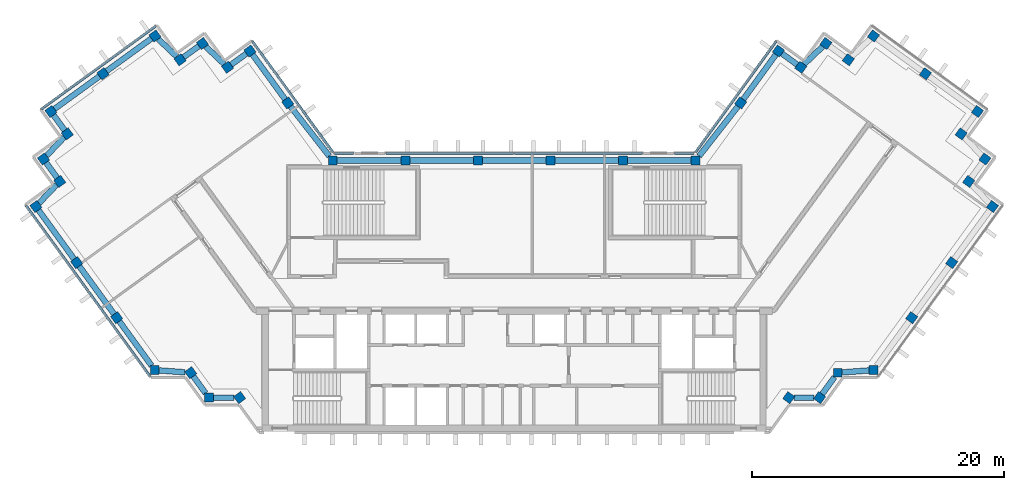
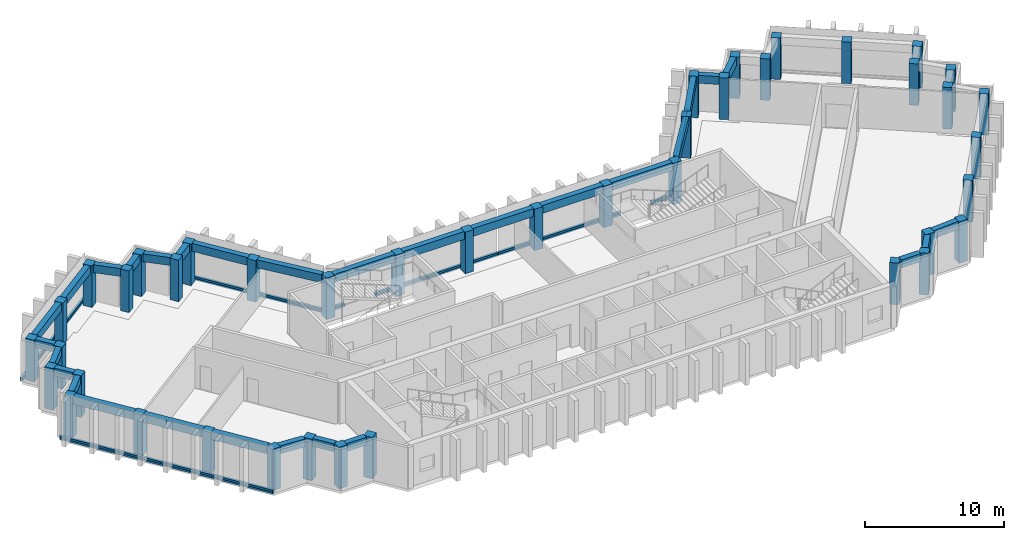
"""IFC4 building model written with IfcOpenShell, lengths in metres."""

from ifc_helpers import new_model, si_unit, direction, frame, origin, origin_2d, place, context, subcontext, project, spatial, rectangle, extrude, material, material_profile, profile_set, type_object, element, aggregate, save


model = new_model("IFC4")

# Units and contexts
model_context = context("Model", 3, precision=1e-05, world=origin(), true_north=direction((0.0, 1.0)))
body_context = subcontext(model_context, "Body", "Model", "MODEL_VIEW")
ifc_project = project(units=[si_unit("LENGTHUNIT", "METRE"), si_unit("AREAUNIT", "SQUARE_METRE"), si_unit("VOLUMEUNIT", "CUBIC_METRE"), si_unit("PLANEANGLEUNIT", "RADIAN"), si_unit("MASSUNIT", "GRAM", prefix="KILO")], contexts=[model_context])

# Site, building, storey
site_placement = place(None, origin())
site = spatial("IfcSite", under=ifc_project, at=site_placement, CompositionType="ELEMENT")
building_placement = place(site_placement, origin())
building = spatial("IfcBuilding", under=site, at=building_placement, Name="Quipu Civic Tower", CompositionType="ELEMENT")
storey_1_placement = place(building_placement, frame((0.0, 0.0, 293.0)))
storey_1 = spatial("IfcBuildingStorey", under=building, at=storey_1_placement, Name="L68", CompositionType="ELEMENT", Elevation=293.0)

# Columns
ifc_material_1 = material(Name="Concrete C50/60", Category="concrete")
ifc_material_profile_1 = material_profile(ifc_material_1, rectangle(XDim=0.699951171875, YDim=0.699951171875, at=origin_2d()), Name="RC700x700")
ifc_profile_set_1 = profile_set([ifc_material_profile_1], Name="Concrete C50/60")
column_type = type_object("IfcColumnType", Name="Perimeter column RC 700x700 C50/60", PredefinedType="COLUMN", material=ifc_profile_set_1)
for number, where, z_axis, x_axis, name in (
    (1, (-17.9736328125, 15.074951171875, 0.0), (0.0, 0.0, 1.0), (-0.587785252292, 0.809016994375, 0.0), "Column L68 W-IN-01"),
    (2, (-20.969970703125, 19.195068359375, 0.0), (0.0, 0.0, 1.0), (-0.587785252292, 0.809016994375, 0.0), "Column L68 T-Wi.0-W22"),
    (3, (-22.749267578125, 17.904296875, 0.0), (0.0, 0.0, 1.0), (-0.587785252292, 0.809016994375, 0.0), "Column L68 T-Wi.1-W22"),
    (4, (-24.739990234375, 19.794921875, 0.0), (0.0, 0.0, 1.0), (-0.587785252292, 0.809016994375, 0.0), "Column L68 T-Wi.2-W22"),
    (5, (-26.51904296875, 18.50048828125, 0.0), (0.0, 0.0, 1.0), (-0.587785252292, 0.809016994375, 0.0), "Column L68 T-Wi.3-W22"),
    (6, (-28.510009765625, 20.389892578125, 0.0), (0.0, 0.0, 1.0), (-0.809016994375, -0.587785252292, 0.0), "Column L68 T-Wi.4-W22"),
    (7, (-32.636962890625, 17.39306640625, 0.0), (0.0, 0.0, 1.0), (-0.809016994375, -0.587785252292, 0.0), "Column L68 TIP-W-01-W22"),
    (8, (-36.764892578125, 14.39501953125, 0.0), (0.0, 0.0, 1.0), (0.587785252292, -0.809016994375, 0.0), "Column L68 T-Wo.0-W22"),
    (9, (-35.470703125, 12.616455078125, 0.0), (0.0, 0.0, 1.0), (-0.809016994375, -0.587785252292, 0.0), "Column L68 T-Wo.1-W22"),
    (10, (-37.360107421875, 10.625, 0.0), (0.0, 0.0, 1.0), (0.587785252292, -0.809016994375, 0.0), "Column L68 T-Wo.2-W22"),
    (11, (-36.068115234375, 8.843994140625, 0.0), (0.0, 0.0, 1.0), (0.587785252292, -0.809016994375, 0.0), "Column L68 T-Wo.3-W22"),
    (12, (-37.9599609375, 6.85498046875, 0.0), (0.0, 0.0, 1.0), (0.587785252292, -0.809016994375, 0.0), "Column L68 T-Wo.4-W22"),
    (13, (-34.722412109375, 2.39990234375, 0.0), (0.0, 0.0, 1.0), (0.587785252292, -0.809016994375, 0.0), "Column L68 W-OUT-02"),
    (14, (-31.54833984375, -1.96875, 0.0), (0.0, 0.0, 1.0), (0.587785252292, -0.809016994375, 0.0), "Column L68 W-OUT-01"),
    (15, (-28.52490234375, -6.1298828125, 0.0), (0.0, 0.0, 1.0), (1.0, 0.0, 0.0), "Column L68 J-Wo.0"),
    (16, (-25.67431640625, -6.3369140625, 0.0), (0.0, 0.0, 1.0), (0.587785252292, -0.809016994375, 0.0), "Column L68 J-Wo.1"),
    (17, (-24.235107421875, -8.31494140625, 0.0), (0.0, 0.0, 1.0), (1.0, 0.0, 0.0), "Column L68 J-Wo.2"),
    (18, (-21.791748046875, -8.31494140625, 0.0), (0.0, 0.0, 1.0), (0.587785252292, -0.809016994375, 0.0), "Column L68 J-Wo.3"),
    (19, (21.791748046875, -8.31494140625, 0.0), (0.0, 0.0, 1.0), (0.587785252292, 0.809016994375, 0.0), "Column L68 J-Eo.1"),
    (20, (24.235107421875, -8.31494140625, 0.0), (0.0, 0.0, 1.0), (0.587785252292, 0.809016994375, 0.0), "Column L68 J-Eo.2"),
    (21, (25.67431640625, -6.3369140625, 0.0), (0.0, 0.0, 1.0), (1.0, 0.0, 0.0), "Column L68 J-Eo.3"),
    (22, (28.52490234375, -6.1298828125, 0.0), (0.0, 0.0, 1.0), (1.0, 0.0, 0.0), "Column L68 J-Eo.4"),
    (23, (31.54833984375, -1.96875, 0.0), (0.0, 0.0, 1.0), (0.587785252292, 0.809016994375, 0.0), "Column L68 E-OUT-01"),
    (24, (34.722412109375, 2.39990234375, 0.0), (0.0, 0.0, 1.0), (0.587785252292, 0.809016994375, 0.0), "Column L68 E-OUT-02"),
    (25, (37.9599609375, 6.85498046875, 0.0), (0.0, 0.0, 1.0), (0.587785252292, 0.809016994375, 0.0), "Column L68 T-Eo.0-E22"),
    (26, (36.068115234375, 8.843994140625, 0.0), (0.0, 0.0, 1.0), (0.587785252292, 0.809016994375, 0.0), "Column L68 T-Eo.1-E22"),
    (27, (37.360107421875, 10.625, 0.0), (0.0, 0.0, 1.0), (0.587785252292, 0.809016994375, 0.0), "Column L68 T-Eo.2-E22"),
    (28, (35.470703125, 12.616455078125, 0.0), (0.0, 0.0, 1.0), (-0.809016994375, 0.587785252292, 0.0), "Column L68 T-Eo.3-E22"),
    (29, (36.764892578125, 14.39501953125, 0.0), (0.0, 0.0, 1.0), (-0.809016994375, 0.587785252292, 0.0), "Column L68 T-Eo.4-E22"),
    (30, (32.636962890625, 17.39306640625, 0.0), (0.0, 0.0, 1.0), (-0.809016994375, 0.587785252292, 0.0), "Column L68 TIP-E-01-E22"),
    (31, (28.510009765625, 20.389892578125, 0.0), (0.0, 0.0, 1.0), (-0.587785252292, -0.809016994375, 0.0), "Column L68 T-Ei.0-E22"),
    (32, (26.51904296875, 18.50048828125, 0.0), (0.0, 0.0, 1.0), (-0.809016994375, 0.587785252292, 0.0), "Column L68 T-Ei.1-E22"),
    (33, (24.739990234375, 19.794921875, 0.0), (0.0, 0.0, 1.0), (-0.587785252292, -0.809016994375, 0.0), "Column L68 T-Ei.2-E22"),
    (34, (22.749267578125, 17.904296875, 0.0), (0.0, 0.0, 1.0), (-0.587785252292, -0.809016994375, 0.0), "Column L68 T-Ei.3-E22"),
    (35, (20.969970703125, 19.195068359375, 0.0), (0.0, 0.0, 1.0), (-0.587785252292, -0.809016994375, 0.0), "Column L68 T-Ei.4-E22"),
    (36, (17.9736328125, 15.074951171875, 0.0), (0.0, 0.0, 1.0), (-0.587785252292, -0.809016994375, 0.0), "Column L68 E-IN-01"),
    (37, (14.395263671875, 10.5, 0.0), (0.0, 0.0, 1.0), (-1.0, 0.0, 0.0), "Column L68 J-Ei.0"),
    (38, (8.63720703125, 10.5, 0.0), (0.0, 0.0, 1.0), (-1.0, 0.0, 0.0), "Column L68 FRONT-01"),
    (39, (2.87890625, 10.5, 0.0), (0.0, 0.0, 1.0), (-1.0, 0.0, 0.0), "Column L68 FRONT-02"),
    (40, (-2.87890625, 10.5, 0.0), (0.0, 0.0, 1.0), (-1.0, 0.0, 0.0), "Column L68 FRONT-03"),
    (41, (-8.63720703125, 10.5, 0.0), (0.0, 0.0, 1.0), (-1.0, 0.0, 0.0), "Column L68 FRONT-04"),
    (42, (-14.395263671875, 10.5, 0.0), (0.0, 0.0, 1.0), (-1.0, 0.0, 0.0), "Column L68 J-Wi.0"),
):
    element("IfcColumn", number, at=place(storey_1_placement, frame(where, z_axis=z_axis, x_axis=x_axis)), inside=storey_1, type_object=column_type, Name=name, PredefinedType="COLUMN", context=body_context, shape_type="SweptSolid", body=[
        extrude(rectangle(XDim=0.699951171875, YDim=0.699951171875, at=origin_2d()), origin(), (0.0, 0.0, 1.0), 3.64990234375),
    ])

# Beams
ifc_material_2 = material(Name="Concrete C50/60", Category="concrete")
ifc_material_profile_2 = material_profile(ifc_material_2, rectangle(XDim=0.449951171875, YDim=0.699951171875, at=origin_2d()), Name="RC450x700")
ifc_profile_set_2 = profile_set([ifc_material_profile_2], Name="Concrete C50/60")
beam_type = type_object("IfcBeamType", Name="Spandrel beam RC 450x700 C50/60", PredefinedType="SPANDREL", material=ifc_profile_set_2)
beam_1_placement = place(storey_1_placement, frame((-18.179443359375, 15.358154296875, 3.300048828125), z_axis=(-0.588201428764, 0.808714460857, 0.0), x_axis=(-0.808714460857, -0.588201428764, 0.0)))
element("IfcBeam", 43, at=beam_1_placement, inside=storey_1, type_object=beam_type, Name="Spandrel beam L68 W-IN-01 to T-Wi.0-W22", PredefinedType="SPANDREL", context=body_context, shape_type="SweptSolid", body=[
    extrude(rectangle(XDim=0.449951171875, YDim=0.699951171875, at=origin_2d()), origin(), (0.0, 0.0, 1.0), 4.394287109375),
])
beam_2_placement = place(storey_1_placement, frame((-21.25341796875, 18.989501953125, 3.300048828125), z_axis=(-0.809461336076, -0.587173181776, 0.0), x_axis=(0.587173181776, -0.809461336076, 0.0)))
element("IfcBeam", 44, at=beam_2_placement, inside=storey_1, type_object=beam_type, Name="Spandrel beam L68 T-Wi.0-W22 to T-Wi.1-W22", PredefinedType="SPANDREL", context=body_context, shape_type="SweptSolid", body=[
    extrude(rectangle(XDim=0.449951171875, YDim=0.699951171875, at=origin_2d()), origin(), (0.0, 0.0, 1.0), 1.498046875),
])
beam_3_placement = place(storey_1_placement, frame((-23.00732421875, 18.1494140625, 3.300048828125), z_axis=(-0.72511931772, 0.6886232461, 0.0), x_axis=(-0.6886232461, -0.72511931772, 0.0)))
element("IfcBeam", 45, at=beam_3_placement, inside=storey_1, type_object=beam_type, Name="Spandrel beam L68 T-Wi.1-W22 to T-Wi.2-W22", PredefinedType="SPANDREL", context=body_context, shape_type="SweptSolid", body=[
    extrude(rectangle(XDim=0.449951171875, YDim=0.699951171875, at=origin_2d()), origin(), (0.0, 0.0, 1.0), 2.03369140625),
])
beam_4_placement = place(storey_1_placement, frame((-25.02294921875, 19.589111328125, 3.300048828125), z_axis=(-0.808644589435, -0.588297482553, 0.0), x_axis=(0.588297482553, -0.808644589435, 0.0)))
element("IfcBeam", 46, at=beam_4_placement, inside=storey_1, type_object=beam_type, Name="Spandrel beam L68 T-Wi.2-W22 to T-Wi.3-W22", PredefinedType="SPANDREL", context=body_context, shape_type="SweptSolid", body=[
    extrude(rectangle(XDim=0.449951171875, YDim=0.699951171875, at=origin_2d()), origin(), (0.0, 0.0, 1.0), 1.500244140625),
])
beam_5_placement = place(storey_1_placement, frame((-26.777099609375, 18.74560546875, 3.300048828125), z_axis=(-0.725359138958, 0.688370626574, 0.0), x_axis=(-0.688370626574, -0.725359138958, 0.0)))
element("IfcBeam", 47, at=beam_5_placement, inside=storey_1, type_object=beam_type, Name="Spandrel beam L68 T-Wi.3-W22 to T-Wi.4-W22", PredefinedType="SPANDREL", context=body_context, shape_type="SweptSolid", body=[
    extrude(rectangle(XDim=0.449951171875, YDim=0.699951171875, at=origin_2d()), origin(), (0.0, 0.0, 1.0), 2.032958984375),
])
beam_6_placement = place(storey_1_placement, frame((-28.793212890625, 20.184326171875, 3.300048828125), z_axis=(-0.809146152767, -0.587607439931, 0.0), x_axis=(0.587607439931, -0.809146152767, 0.0)))
element("IfcBeam", 48, at=beam_6_placement, inside=storey_1, type_object=beam_type, Name="Spandrel beam L68 T-Wi.4-W22 to TIP-W-01-W22", PredefinedType="SPANDREL", context=body_context, shape_type="SweptSolid", body=[
    extrude(rectangle(XDim=0.449951171875, YDim=0.699951171875, at=origin_2d()), origin(), (0.0, 0.0, 1.0), 4.400390625),
])
beam_7_placement = place(storey_1_placement, frame((-32.920166015625, 17.187255859375, 3.300048828125), z_axis=(-0.809117270763, -0.587647208921, 0.0), x_axis=(0.587647208921, -0.809117270763, 0.0)))
element("IfcBeam", 49, at=beam_7_placement, inside=storey_1, type_object=beam_type, Name="Spandrel beam L68 TIP-W-01-W22 to T-Wo.0-W22", PredefinedType="SPANDREL", context=body_context, shape_type="SweptSolid", body=[
    extrude(rectangle(XDim=0.449951171875, YDim=0.699951171875, at=origin_2d()), origin(), (0.0, 0.0, 1.0), 4.40185546875),
])
beam_8_placement = place(storey_1_placement, frame((-36.55908203125, 14.112060546875, 3.300048828125), z_axis=(0.588345920092, -0.808609348394, 0.0), x_axis=(0.808609348394, 0.588345920092, 0.0)))
element("IfcBeam", 50, at=beam_8_placement, inside=storey_1, type_object=beam_type, Name="Spandrel beam L68 T-Wo.0-W22 to T-Wo.1-W22", PredefinedType="SPANDREL", context=body_context, shape_type="SweptSolid", body=[
    extrude(rectangle(XDim=0.449951171875, YDim=0.699951171875, at=origin_2d()), origin(), (0.0, 0.0, 1.0), 1.499755859375),
])
beam_9_placement = place(storey_1_placement, frame((-35.7158203125, 12.358154296875, 3.300048828125), z_axis=(-0.688247466856, -0.725475998477, 0.0), x_axis=(0.725475998477, -0.688247466856, 0.0)))
element("IfcBeam", 51, at=beam_9_placement, inside=storey_1, type_object=beam_type, Name="Spandrel beam L68 T-Wo.1-W22 to T-Wo.2-W22", PredefinedType="SPANDREL", context=body_context, shape_type="SweptSolid", body=[
    extrude(rectangle(XDim=0.449951171875, YDim=0.699951171875, at=origin_2d()), origin(), (0.0, 0.0, 1.0), 2.032958984375),
])
beam_10_placement = place(storey_1_placement, frame((-37.154541015625, 10.341796875, 3.300048828125), z_axis=(0.587164895097, -0.809467347066, 0.0), x_axis=(0.809467347066, 0.587164895097, 0.0)))
element("IfcBeam", 52, at=beam_10_placement, inside=storey_1, type_object=beam_type, Name="Spandrel beam L68 T-Wo.2-W22 to T-Wo.3-W22", PredefinedType="SPANDREL", context=body_context, shape_type="SweptSolid", body=[
    extrude(rectangle(XDim=0.449951171875, YDim=0.699951171875, at=origin_2d()), origin(), (0.0, 0.0, 1.0), 1.500244140625),
])
beam_11_placement = place(storey_1_placement, frame((-36.3134765625, 8.586181640625, 3.300048828125), z_axis=(-0.689175330605, -0.724594620244, 0.0), x_axis=(0.724594620244, -0.689175330605, 0.0)))
element("IfcBeam", 53, at=beam_11_placement, inside=storey_1, type_object=beam_type, Name="Spandrel beam L68 T-Wo.3-W22 to T-Wo.4-W22", PredefinedType="SPANDREL", context=body_context, shape_type="SweptSolid", body=[
    extrude(rectangle(XDim=0.449951171875, YDim=0.699951171875, at=origin_2d()), origin(), (0.0, 0.0, 1.0), 2.033447265625),
])
beam_12_placement = place(storey_1_placement, frame((-37.754150390625, 6.57177734375, 3.300048828125), z_axis=(0.587905928359, -0.808929304328, 0.0), x_axis=(0.808929304328, 0.587905928359, 0.0)))
element("IfcBeam", 54, at=beam_12_placement, inside=storey_1, type_object=beam_type, Name="Spandrel beam L68 T-Wo.4-W22 to W-OUT-02", PredefinedType="SPANDREL", context=body_context, shape_type="SweptSolid", body=[
    extrude(rectangle(XDim=0.449951171875, YDim=0.699951171875, at=origin_2d()), origin(), (0.0, 0.0, 1.0), 4.80712890625),
])
beam_13_placement = place(storey_1_placement, frame((-34.5166015625, 2.116943359375, 3.300048828125), z_axis=(0.587788656305, -0.809014521204, 0.0), x_axis=(0.809014521204, 0.587788656305, 0.0)))
element("IfcBeam", 55, at=beam_13_placement, inside=storey_1, type_object=beam_type, Name="Spandrel beam L68 W-OUT-02 to W-OUT-01", PredefinedType="SPANDREL", context=body_context, shape_type="SweptSolid", body=[
    extrude(rectangle(XDim=0.449951171875, YDim=0.699951171875, at=origin_2d()), origin(), (0.0, 0.0, 1.0), 4.7001953125),
])
beam_14_placement = place(storey_1_placement, frame((-31.342529296875, -2.251953125, 3.300048828125), z_axis=(0.58777550284, -0.809024077677, 0.0), x_axis=(0.809024077677, 0.58777550284, 0.0)))
element("IfcBeam", 56, at=beam_14_placement, inside=storey_1, type_object=beam_type, Name="Spandrel beam L68 W-OUT-01 to J-Wo.0", PredefinedType="SPANDREL", context=body_context, shape_type="SweptSolid", body=[
    extrude(rectangle(XDim=0.449951171875, YDim=0.699951171875, at=origin_2d()), origin(), (0.0, 0.0, 1.0), 4.36083984375),
])
beam_15_placement = place(storey_1_placement, frame((-28.175048828125, -6.155517578125, 3.300048828125), z_axis=(0.99737333325, -0.072432272649, 0.0), x_axis=(0.072432272649, 0.99737333325, 0.0)))
element("IfcBeam", 57, at=beam_15_placement, inside=storey_1, type_object=beam_type, Name="Spandrel beam L68 J-Wo.0 to J-Wo.1", PredefinedType="SPANDREL", context=body_context, shape_type="SweptSolid", body=[
    extrude(rectangle(XDim=0.449951171875, YDim=0.699951171875, at=origin_2d()), origin(), (0.0, 0.0, 1.0), 2.04931640625),
])
beam_16_placement = place(storey_1_placement, frame((-25.468505859375, -6.6201171875, 3.300048828125), z_axis=(0.588407300614, -0.80856468423, 0.0), x_axis=(0.80856468423, 0.588407300614, 0.0)))
element("IfcBeam", 58, at=beam_16_placement, inside=storey_1, type_object=beam_type, Name="Spandrel beam L68 J-Wo.1 to J-Wo.2", PredefinedType="SPANDREL", context=body_context, shape_type="SweptSolid", body=[
    extrude(rectangle(XDim=0.449951171875, YDim=0.699951171875, at=origin_2d()), origin(), (0.0, 0.0, 1.0), 1.663330078125),
])
beam_17_placement = place(storey_1_placement, frame((-23.885009765625, -8.31494140625, 3.300048828125), z_axis=(1.0, 0.0, 0.0), x_axis=(0.0, 1.0, 0.0)))
element("IfcBeam", 59, at=beam_17_placement, inside=storey_1, type_object=beam_type, Name="Spandrel beam L68 J-Wo.2 to J-Wo.3", PredefinedType="SPANDREL", context=body_context, shape_type="SweptSolid", body=[
    extrude(rectangle(XDim=0.449951171875, YDim=0.699951171875, at=origin_2d()), origin(), (0.0, 0.0, 1.0), 1.66064453125),
])
beam_18_placement = place(storey_1_placement, frame((22.224365234375, -8.31494140625, 3.300048828125), z_axis=(1.0, 0.0, 0.0), x_axis=(0.0, 1.0, 0.0)))
element("IfcBeam", 60, at=beam_18_placement, inside=storey_1, type_object=beam_type, Name="Spandrel beam L68 J-Eo.1 to J-Eo.2", PredefinedType="SPANDREL", context=body_context, shape_type="SweptSolid", body=[
    extrude(rectangle(XDim=0.449951171875, YDim=0.699951171875, at=origin_2d()), origin(), (0.0, 0.0, 1.0), 1.578125),
])
beam_19_placement = place(storey_1_placement, frame((24.44091796875, -8.031982421875, 3.300048828125), z_axis=(0.588407300614, 0.80856468423, 0.0), x_axis=(-0.80856468423, 0.588407300614, 0.0)))
element("IfcBeam", 61, at=beam_19_placement, inside=storey_1, type_object=beam_type, Name="Spandrel beam L68 J-Eo.2 to J-Eo.3", PredefinedType="SPANDREL", context=body_context, shape_type="SweptSolid", body=[
    extrude(rectangle(XDim=0.449951171875, YDim=0.699951171875, at=origin_2d()), origin(), (0.0, 0.0, 1.0), 1.663330078125),
])
beam_20_placement = place(storey_1_placement, frame((26.0244140625, -6.3115234375, 3.300048828125), z_axis=(0.997379352029, 0.072349347934, 0.0), x_axis=(-0.072349347934, 0.997379352029, 0.0)))
element("IfcBeam", 62, at=beam_20_placement, inside=storey_1, type_object=beam_type, Name="Spandrel beam L68 J-Eo.3 to J-Eo.4", PredefinedType="SPANDREL", context=body_context, shape_type="SweptSolid", body=[
    extrude(rectangle(XDim=0.449951171875, YDim=0.699951171875, at=origin_2d()), origin(), (0.0, 0.0, 1.0), 2.15625),
])
beam_21_placement = place(storey_1_placement, frame((24.48193359375, 19.5498046875, 3.300048828125), z_axis=(-0.72511931772, -0.6886232461, 0.0), x_axis=(0.6886232461, -0.72511931772, 0.0)))
element("IfcBeam", 63, at=beam_21_placement, inside=storey_1, type_object=beam_type, Name="Spandrel beam L68 T-Ei.2-E22 to T-Ei.3-E22", PredefinedType="SPANDREL", context=body_context, shape_type="SweptSolid", body=[
    extrude(rectangle(XDim=0.449951171875, YDim=0.699951171875, at=origin_2d()), origin(), (0.0, 0.0, 1.0), 2.03369140625),
])
beam_22_placement = place(storey_1_placement, frame((22.466064453125, 18.10986328125, 3.300048828125), z_axis=(-0.809461336076, 0.587173181776, 0.0), x_axis=(-0.587173181776, -0.809461336076, 0.0)))
element("IfcBeam", 64, at=beam_22_placement, inside=storey_1, type_object=beam_type, Name="Spandrel beam L68 T-Ei.3-E22 to T-Ei.4-E22", PredefinedType="SPANDREL", context=body_context, shape_type="SweptSolid", body=[
    extrude(rectangle(XDim=0.449951171875, YDim=0.699951171875, at=origin_2d()), origin(), (0.0, 0.0, 1.0), 1.498046875),
])
beam_23_placement = place(storey_1_placement, frame((20.76416015625, 18.911865234375, 3.300048828125), z_axis=(-0.588201428764, -0.808714460857, 0.0), x_axis=(0.808714460857, -0.588201428764, 0.0)))
element("IfcBeam", 65, at=beam_23_placement, inside=storey_1, type_object=beam_type, Name="Spandrel beam L68 T-Ei.4-E22 to E-IN-01", PredefinedType="SPANDREL", context=body_context, shape_type="SweptSolid", body=[
    extrude(rectangle(XDim=0.449951171875, YDim=0.699951171875, at=origin_2d()), origin(), (0.0, 0.0, 1.0), 4.394287109375),
])
beam_24_placement = place(storey_1_placement, frame((17.7578125, 14.799072265625, 3.300048828125), z_axis=(-0.616106034519, -0.787663223865, 0.0), x_axis=(0.787663223865, -0.616106034519, 0.0)))
element("IfcBeam", 66, at=beam_24_placement, inside=storey_1, type_object=beam_type, Name="Spandrel beam L68 E-IN-01 to J-Ei.0", PredefinedType="SPANDREL", context=body_context, shape_type="SweptSolid", body=[
    extrude(rectangle(XDim=0.449951171875, YDim=0.699951171875, at=origin_2d()), origin(), (0.0, 0.0, 1.0), 5.013427734375),
])
for number, where, z_axis, x_axis, name in (
    (67, (14.045166015625, 10.5, 3.300048828125), (-1.0, 0.0, 0.0), (0.0, -1.0, 0.0), "Spandrel beam L68 J-Ei.0 to FRONT-01"),
    (68, (8.287109375, 10.5, 3.300048828125), (-1.0, 0.0, 0.0), (0.0, -1.0, 0.0), "Spandrel beam L68 FRONT-01 to FRONT-02"),
    (69, (2.529052734375, 10.5, 3.300048828125), (-1.0, 0.0, 0.0), (0.0, -1.0, 0.0), "Spandrel beam L68 FRONT-02 to FRONT-03"),
    (70, (-3.22900390625, 10.5, 3.300048828125), (-1.0, 0.0, 0.0), (0.0, -1.0, 0.0), "Spandrel beam L68 FRONT-03 to FRONT-04"),
    (71, (-8.987060546875, 10.5, 3.300048828125), (-1.0, 0.0, 0.0), (0.0, -1.0, 0.0), "Spandrel beam L68 FRONT-04 to J-Wi.0"),
):
    element("IfcBeam", number, at=place(storey_1_placement, frame(where, z_axis=z_axis, x_axis=x_axis)), inside=storey_1, type_object=beam_type, Name=name, PredefinedType="SPANDREL", context=body_context, shape_type="SweptSolid", body=[
        extrude(rectangle(XDim=0.449951171875, YDim=0.699951171875, at=origin_2d()), origin(), (0.0, 0.0, 1.0), 5.05810546875),
    ])
beam_25_placement = place(storey_1_placement, frame((-14.6689453125, 10.85009765625, 3.300048828125), z_axis=(-0.616106034519, 0.787663223865, 0.0), x_axis=(-0.787663223865, -0.616106034519, 0.0)))
element("IfcBeam", 72, at=beam_25_placement, inside=storey_1, type_object=beam_type, Name="Spandrel beam L68 J-Wi.0 to W-IN-01", PredefinedType="SPANDREL", context=body_context, shape_type="SweptSolid", body=[
    extrude(rectangle(XDim=0.449951171875, YDim=0.699951171875, at=origin_2d()), origin(), (0.0, 0.0, 1.0), 5.013427734375),
])

# Storey
storey_2_placement = place(building_placement, frame((0.0, 0.0, 285.0)))
storey_2 = spatial("IfcBuildingStorey", under=building, at=storey_2_placement, Name="L66", CompositionType="ELEMENT", Elevation=285.0)

# Curtain wall, member
ifc_material_3 = material(Name="Insulated glass unit", Category="glass")
curtain_wall_type = type_object("IfcCurtainWallType", Name="Office curtain wall CW1", PredefinedType="NOTDEFINED", material=ifc_material_3)
curtain_wall_1_placement = place(storey_2_placement, origin())
curtain_wall_1 = element("IfcCurtainWall", 73, at=curtain_wall_1_placement, inside=storey_2, type_object=curtain_wall_type, Name="Office curtain wall CW1 L65 run 1", PredefinedType="NOTDEFINED")
ifc_material_4 = material(Name="Anodised aluminium", Category="aluminium")
ifc_material_profile_3 = material_profile(ifc_material_4, rectangle(XDim=0.199951171875, YDim=0.159912109375, at=origin_2d()), Name="RECT 200x160")
ifc_profile_set_3 = profile_set([ifc_material_profile_3], Name="Anodised aluminium")
member_type = type_object("IfcMemberType", Name="Transom CW1", PredefinedType="USERDEFINED", material=ifc_profile_set_3)
member_1_placement = place(storey_1_placement, frame((-14.39111328125, 11.164794921875, 0.0), z_axis=(-0.587796859727, 0.809008560953, 0.0), x_axis=(-0.809008560953, -0.587796859727, 0.0)))
member_1 = element("IfcMember", 74, at=member_1_placement, inside=storey_1, type_object=member_type, Name="CW1 transom 1.4", ObjectType="TRANSOM", PredefinedType="USERDEFINED", context=body_context, shape_type="SweptSolid", body=[
    extrude(rectangle(XDim=0.199951171875, YDim=0.159912109375, at=origin_2d()), origin(), (0.0, 0.0, 1.0), 10.88427734375),
])
aggregate(curtain_wall_1, [member_1])

curtain_wall_2_placement = place(storey_2_placement, origin())
curtain_wall_2 = element("IfcCurtainWall", 75, at=curtain_wall_2_placement, inside=storey_2, type_object=curtain_wall_type, Name="Office curtain wall CW1 L65 run 6", PredefinedType="NOTDEFINED")
member_2_placement = place(storey_1_placement, frame((-28.443359375, 21.1826171875, 0.0), z_axis=(-0.809022463805, -0.587777724194, 0.0), x_axis=(0.587777724194, -0.809022463805, 0.0)))
member_2 = element("IfcMember", 76, at=member_2_placement, inside=storey_1, type_object=member_type, Name="CW1 transom 1.4", ObjectType="TRANSOM", PredefinedType="USERDEFINED", context=body_context, shape_type="SweptSolid", body=[
    extrude(rectangle(XDim=0.199951171875, YDim=0.159912109375, at=origin_2d()), origin(), (0.0, 0.0, 1.0), 11.240234375),
])
aggregate(curtain_wall_2, [member_2])

# Curtain wall, members
curtain_wall_3_placement = place(storey_2_placement, origin())
curtain_wall_3 = element("IfcCurtainWall", 77, at=curtain_wall_3_placement, inside=storey_2, type_object=curtain_wall_type, Name="Office curtain wall CW1 L65 run 11", PredefinedType="NOTDEFINED")
member_3_placement = place(storey_1_placement, frame((-38.7490234375, 6.92138671875, 0.0), z_axis=(0.587779098815, -0.809021465102, 0.0), x_axis=(0.809021465102, 0.587779098815, 0.0)))
member_3 = element("IfcMember", 78, at=member_3_placement, inside=storey_1, type_object=member_type, Name="CW1 transom 1.4", ObjectType="TRANSOM", PredefinedType="USERDEFINED", context=body_context, shape_type="SweptSolid", body=[
    extrude(rectangle(XDim=0.199951171875, YDim=0.159912109375, at=origin_2d()), origin(), (0.0, 0.0, 1.0), 8.35791015625),
])
member_4_placement = place(storey_1_placement, frame((-33.78955078125, 0.094970703125, 0.0), z_axis=(0.587812107925, -0.808997481935, 0.0), x_axis=(0.808997481935, 0.587812107925, 0.0)))
member_4 = element("IfcMember", 79, at=member_4_placement, inside=storey_1, type_object=member_type, Name="CW1 transom 2.4", ObjectType="TRANSOM", PredefinedType="USERDEFINED", context=body_context, shape_type="SweptSolid", body=[
    extrude(rectangle(XDim=0.199951171875, YDim=0.159912109375, at=origin_2d()), origin(), (0.0, 0.0, 1.0), 8.35791015625),
])
aggregate(curtain_wall_3, [member_3, member_4])

# Curtain wall, member
curtain_wall_4_placement = place(storey_2_placement, origin())
curtain_wall_4 = element("IfcCurtainWall", 80, at=curtain_wall_4_placement, inside=storey_2, type_object=curtain_wall_type, Name="Office curtain wall CW1 L65 run 33", PredefinedType="NOTDEFINED")
member_5_placement = place(storey_1_placement, frame((20.788818359375, 19.97021484375, 0.0), z_axis=(-0.587796859727, -0.809008560953, 0.0), x_axis=(0.809008560953, -0.587796859727, 0.0)))
member_5 = element("IfcMember", 81, at=member_5_placement, inside=storey_1, type_object=member_type, Name="CW1 transom 1.4", ObjectType="TRANSOM", PredefinedType="USERDEFINED", context=body_context, shape_type="SweptSolid", body=[
    extrude(rectangle(XDim=0.199951171875, YDim=0.159912109375, at=origin_2d()), origin(), (0.0, 0.0, 1.0), 10.88427734375),
])
aggregate(curtain_wall_4, [member_5])

curtain_wall_5_placement = place(storey_2_placement, origin())
curtain_wall_5 = element("IfcCurtainWall", 82, at=curtain_wall_5_placement, inside=storey_2, type_object=curtain_wall_type, Name="Office curtain wall CW1 L65 run 34", PredefinedType="NOTDEFINED")
member_6_placement = place(storey_1_placement, frame((14.26416015625, 11.10009765625, 0.0), z_axis=(-1.0, 0.0, 0.0), x_axis=(0.0, -1.0, 0.0)))
member_6 = element("IfcMember", 83, at=member_6_placement, inside=storey_1, type_object=member_type, Name="CW1 transom 1.4", ObjectType="TRANSOM", PredefinedType="USERDEFINED", context=body_context, shape_type="SweptSolid", body=[
    extrude(rectangle(XDim=0.199951171875, YDim=0.159912109375, at=origin_2d()), origin(), (0.0, 0.0, 1.0), 1.529052734375),
])
aggregate(curtain_wall_5, [member_6])

# Curtain wall, members
curtain_wall_6_placement = place(storey_2_placement, origin())
curtain_wall_6 = element("IfcCurtainWall", 84, at=curtain_wall_6_placement, inside=storey_2, type_object=curtain_wall_type, Name="Office curtain wall CW1 L65 run 36", PredefinedType="NOTDEFINED")
member_7_placement = place(storey_1_placement, frame((10.18359375, 11.10009765625, 0.0), z_axis=(-1.0, 0.0, 0.0), x_axis=(0.0, -1.0, 0.0)))
member_7 = element("IfcMember", 85, at=member_7_placement, inside=storey_1, type_object=member_type, Name="CW1 transom 1.4", ObjectType="TRANSOM", PredefinedType="USERDEFINED", context=body_context, shape_type="SweptSolid", body=[
    extrude(rectangle(XDim=0.199951171875, YDim=0.159912109375, at=origin_2d()), origin(), (0.0, 0.0, 1.0), 10.1435546875),
])
member_8_placement = place(storey_1_placement, frame((-0.0400390625, 11.10009765625, 0.0), z_axis=(-1.0, 0.0, 0.0), x_axis=(0.0, -1.0, 0.0)))
member_8 = element("IfcMember", 86, at=member_8_placement, inside=storey_1, type_object=member_type, Name="CW1 transom 2.4", ObjectType="TRANSOM", PredefinedType="USERDEFINED", context=body_context, shape_type="SweptSolid", body=[
    extrude(rectangle(XDim=0.199951171875, YDim=0.159912109375, at=origin_2d()), origin(), (0.0, 0.0, 1.0), 10.1435546875),
])
aggregate(curtain_wall_6, [member_7, member_8])

# Curtain wall, member
curtain_wall_7_placement = place(storey_2_placement, origin())
curtain_wall_7 = element("IfcCurtainWall", 87, at=curtain_wall_7_placement, inside=storey_2, type_object=curtain_wall_type, Name="Office curtain wall CW1 L65 run 38", PredefinedType="NOTDEFINED")
member_9_placement = place(storey_1_placement, frame((-12.735107421875, 11.10009765625, 0.0), z_axis=(-1.0, 0.0, 0.0), x_axis=(0.0, -1.0, 0.0)))
member_9 = element("IfcMember", 88, at=member_9_placement, inside=storey_1, type_object=member_type, Name="CW1 transom 1.4", ObjectType="TRANSOM", PredefinedType="USERDEFINED", context=body_context, shape_type="SweptSolid", body=[
    extrude(rectangle(XDim=0.199951171875, YDim=0.159912109375, at=origin_2d()), origin(), (0.0, 0.0, 1.0), 1.529052734375),
])
aggregate(curtain_wall_7, [member_9])

# Storey
storey_3_placement = place(building_placement, frame((0.0, 0.0, 297.0)))
storey_3 = spatial("IfcBuildingStorey", under=building, at=storey_3_placement, Name="L69", CompositionType="ELEMENT", Elevation=297.0)

# Curtain wall, member
curtain_wall_8_placement = place(storey_3_placement, origin())
curtain_wall_8 = element("IfcCurtainWall", 89, at=curtain_wall_8_placement, inside=storey_3, type_object=curtain_wall_type, Name="Office curtain wall CW1 L68 run 1", PredefinedType="NOTDEFINED")
member_10_placement = place(storey_1_placement, frame((-14.39111328125, 11.164794921875, 0.159912109375), z_axis=(-0.587796859727, 0.809008560953, 0.0), x_axis=(-0.809008560953, -0.587796859727, 0.0)))
member_10 = element("IfcMember", 90, at=member_10_placement, inside=storey_1, type_object=member_type, Name="CW1 transom 1.1", ObjectType="TRANSOM", PredefinedType="USERDEFINED", context=body_context, shape_type="SweptSolid", body=[
    extrude(rectangle(XDim=0.199951171875, YDim=0.159912109375, at=origin_2d()), origin(), (0.0, 0.0, 1.0), 10.88427734375),
])
aggregate(curtain_wall_8, [member_10])

curtain_wall_9_placement = place(storey_3_placement, origin())
curtain_wall_9 = element("IfcCurtainWall", 91, at=curtain_wall_9_placement, inside=storey_3, type_object=curtain_wall_type, Name="Office curtain wall CW1 L68 run 6", PredefinedType="NOTDEFINED")
member_11_placement = place(storey_1_placement, frame((-28.443359375, 21.1826171875, 0.159912109375), z_axis=(-0.809022463805, -0.587777724194, 0.0), x_axis=(0.587777724194, -0.809022463805, 0.0)))
member_11 = element("IfcMember", 92, at=member_11_placement, inside=storey_1, type_object=member_type, Name="CW1 transom 1.1", ObjectType="TRANSOM", PredefinedType="USERDEFINED", context=body_context, shape_type="SweptSolid", body=[
    extrude(rectangle(XDim=0.199951171875, YDim=0.159912109375, at=origin_2d()), origin(), (0.0, 0.0, 1.0), 11.240234375),
])
aggregate(curtain_wall_9, [member_11])

# Curtain wall, members
curtain_wall_10_placement = place(storey_3_placement, origin())
curtain_wall_10 = element("IfcCurtainWall", 93, at=curtain_wall_10_placement, inside=storey_3, type_object=curtain_wall_type, Name="Office curtain wall CW1 L68 run 11", PredefinedType="NOTDEFINED")
member_12_placement = place(storey_1_placement, frame((-38.7490234375, 6.92138671875, 0.159912109375), z_axis=(0.587779098815, -0.809021465102, 0.0), x_axis=(0.809021465102, 0.587779098815, 0.0)))
member_12 = element("IfcMember", 94, at=member_12_placement, inside=storey_1, type_object=member_type, Name="CW1 transom 1.1", ObjectType="TRANSOM", PredefinedType="USERDEFINED", context=body_context, shape_type="SweptSolid", body=[
    extrude(rectangle(XDim=0.199951171875, YDim=0.159912109375, at=origin_2d()), origin(), (0.0, 0.0, 1.0), 8.35791015625),
])
member_13_placement = place(storey_1_placement, frame((-33.78955078125, 0.094970703125, 0.159912109375), z_axis=(0.587812107925, -0.808997481935, 0.0), x_axis=(0.808997481935, 0.587812107925, 0.0)))
member_13 = element("IfcMember", 95, at=member_13_placement, inside=storey_1, type_object=member_type, Name="CW1 transom 2.1", ObjectType="TRANSOM", PredefinedType="USERDEFINED", context=body_context, shape_type="SweptSolid", body=[
    extrude(rectangle(XDim=0.199951171875, YDim=0.159912109375, at=origin_2d()), origin(), (0.0, 0.0, 1.0), 8.35791015625),
])
aggregate(curtain_wall_10, [member_12, member_13])

# Curtain wall, member
curtain_wall_11_placement = place(storey_3_placement, origin())
curtain_wall_11 = element("IfcCurtainWall", 96, at=curtain_wall_11_placement, inside=storey_3, type_object=curtain_wall_type, Name="Office curtain wall CW1 L68 run 33", PredefinedType="NOTDEFINED")
member_14_placement = place(storey_1_placement, frame((20.788818359375, 19.97021484375, 0.159912109375), z_axis=(-0.587796859727, -0.809008560953, 0.0), x_axis=(0.809008560953, -0.587796859727, 0.0)))
member_14 = element("IfcMember", 97, at=member_14_placement, inside=storey_1, type_object=member_type, Name="CW1 transom 1.1", ObjectType="TRANSOM", PredefinedType="USERDEFINED", context=body_context, shape_type="SweptSolid", body=[
    extrude(rectangle(XDim=0.199951171875, YDim=0.159912109375, at=origin_2d()), origin(), (0.0, 0.0, 1.0), 10.88427734375),
])
aggregate(curtain_wall_11, [member_14])

curtain_wall_12_placement = place(storey_3_placement, origin())
curtain_wall_12 = element("IfcCurtainWall", 98, at=curtain_wall_12_placement, inside=storey_3, type_object=curtain_wall_type, Name="Office curtain wall CW1 L68 run 34", PredefinedType="NOTDEFINED")
member_15_placement = place(storey_1_placement, frame((14.26416015625, 11.10009765625, 0.159912109375), z_axis=(-1.0, 0.0, 0.0), x_axis=(0.0, -1.0, 0.0)))
member_15 = element("IfcMember", 99, at=member_15_placement, inside=storey_1, type_object=member_type, Name="CW1 transom 1.1", ObjectType="TRANSOM", PredefinedType="USERDEFINED", context=body_context, shape_type="SweptSolid", body=[
    extrude(rectangle(XDim=0.199951171875, YDim=0.159912109375, at=origin_2d()), origin(), (0.0, 0.0, 1.0), 1.529052734375),
])
aggregate(curtain_wall_12, [member_15])

# Curtain wall, members
curtain_wall_13_placement = place(storey_3_placement, origin())
curtain_wall_13 = element("IfcCurtainWall", 100, at=curtain_wall_13_placement, inside=storey_3, type_object=curtain_wall_type, Name="Office curtain wall CW1 L68 run 36", PredefinedType="NOTDEFINED")
member_16_placement = place(storey_1_placement, frame((10.18359375, 11.10009765625, 0.159912109375), z_axis=(-1.0, 0.0, 0.0), x_axis=(0.0, -1.0, 0.0)))
member_16 = element("IfcMember", 101, at=member_16_placement, inside=storey_1, type_object=member_type, Name="CW1 transom 1.1", ObjectType="TRANSOM", PredefinedType="USERDEFINED", context=body_context, shape_type="SweptSolid", body=[
    extrude(rectangle(XDim=0.199951171875, YDim=0.159912109375, at=origin_2d()), origin(), (0.0, 0.0, 1.0), 10.1435546875),
])
member_17_placement = place(storey_1_placement, frame((-0.0400390625, 11.10009765625, 0.159912109375), z_axis=(-1.0, 0.0, 0.0), x_axis=(0.0, -1.0, 0.0)))
member_17 = element("IfcMember", 102, at=member_17_placement, inside=storey_1, type_object=member_type, Name="CW1 transom 2.1", ObjectType="TRANSOM", PredefinedType="USERDEFINED", context=body_context, shape_type="SweptSolid", body=[
    extrude(rectangle(XDim=0.199951171875, YDim=0.159912109375, at=origin_2d()), origin(), (0.0, 0.0, 1.0), 10.1435546875),
])
aggregate(curtain_wall_13, [member_16, member_17])

# Curtain wall, member
curtain_wall_14_placement = place(storey_3_placement, origin())
curtain_wall_14 = element("IfcCurtainWall", 103, at=curtain_wall_14_placement, inside=storey_3, type_object=curtain_wall_type, Name="Office curtain wall CW1 L68 run 38", PredefinedType="NOTDEFINED")
member_18_placement = place(storey_1_placement, frame((-12.735107421875, 11.10009765625, 0.159912109375), z_axis=(-1.0, 0.0, 0.0), x_axis=(0.0, -1.0, 0.0)))
member_18 = element("IfcMember", 104, at=member_18_placement, inside=storey_1, type_object=member_type, Name="CW1 transom 1.1", ObjectType="TRANSOM", PredefinedType="USERDEFINED", context=body_context, shape_type="SweptSolid", body=[
    extrude(rectangle(XDim=0.199951171875, YDim=0.159912109375, at=origin_2d()), origin(), (0.0, 0.0, 1.0), 1.529052734375),
])
aggregate(curtain_wall_14, [member_18])

save(model, "model.ifc")
